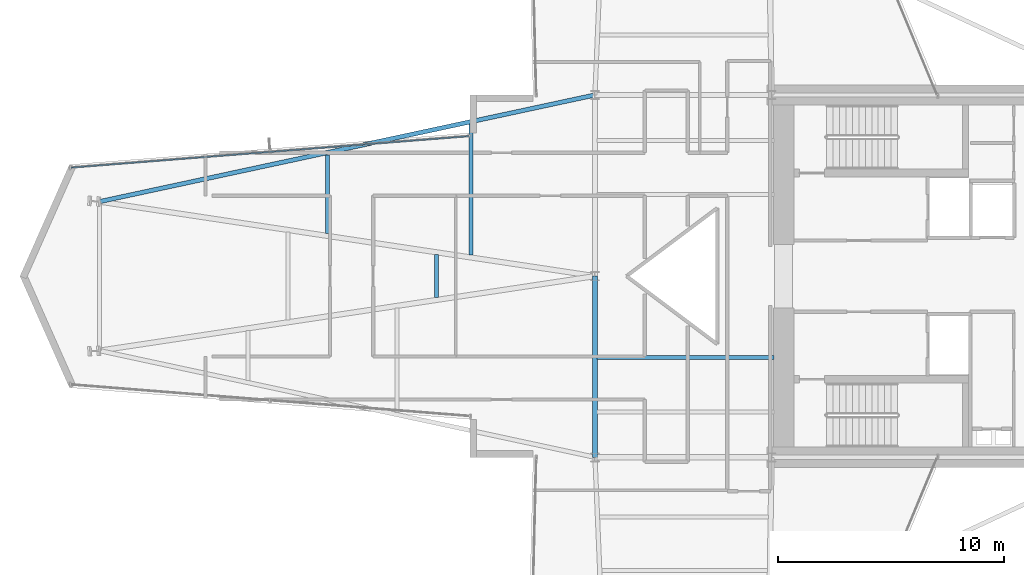
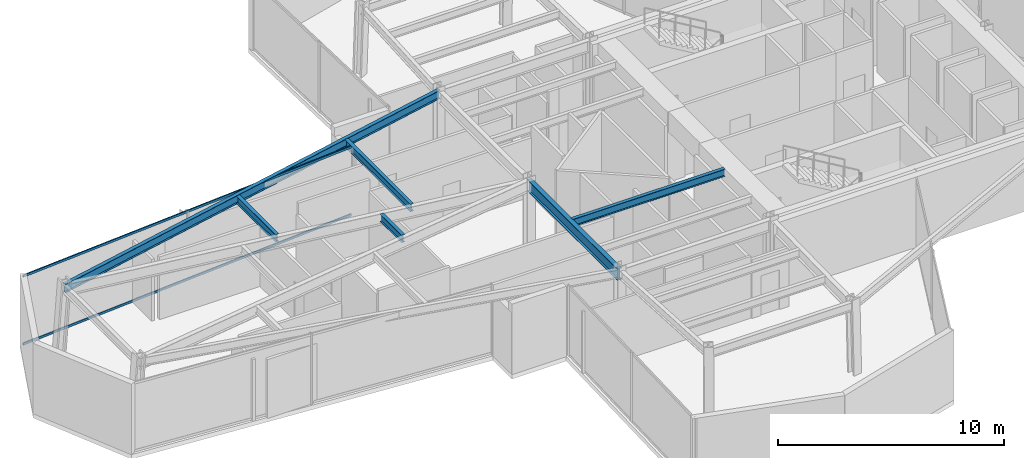
# One storey, part 8 of 25: 6 beams, 2 members, 1 element without a shape of its own.
"""IFC4 building model written with IfcOpenShell, lengths in metres."""

from ifc_helpers import new_model, si_unit, direction, frame, origin, origin_2d, place, context, subcontext, project, spatial, hollow_rectangle, i_section, extrude, material, layer, layer_set, material_profile, profile_set, type_object, element, aggregate, save


model = new_model("IFC4")

# Units and contexts
model_context = context("Model", 3, precision=1e-05, world=origin(), true_north=direction((0.0, 1.0)))
body_context = subcontext(model_context, "Body", "Model", "MODEL_VIEW")
ifc_project = project(units=[si_unit("LENGTHUNIT", "METRE"), si_unit("AREAUNIT", "SQUARE_METRE"), si_unit("VOLUMEUNIT", "CUBIC_METRE"), si_unit("PLANEANGLEUNIT", "RADIAN"), si_unit("MASSUNIT", "GRAM", prefix="KILO")], contexts=[model_context])

# Site, building, storey
site_placement = place(None, origin())
site = spatial("IfcSite", under=ifc_project, at=site_placement, CompositionType="ELEMENT")
building_placement = place(site_placement, origin())
building = spatial("IfcBuilding", under=site, at=building_placement, Name="Veymaron Broadcast Tower", CompositionType="ELEMENT")
storey_placement = place(building_placement, frame((0.0, 0.0, 82.35009765625)))
storey = spatial("IfcBuildingStorey", under=building, at=storey_placement, Name="L18", CompositionType="ELEMENT", Elevation=82.35009765625)

# Beams
ifc_material_1 = material(Name="Structural steel ASTM A992 Gr 50", Category="steel")
ifc_material_profile_1 = material_profile(ifc_material_1, i_section(OverallWidth=0.22998046875, OverallDepth=0.616943359375, WebThickness=0.01318359375, FlangeThickness=0.022216796875, at=origin_2d()), Name="W610X140")
ifc_profile_set_1 = profile_set([ifc_material_profile_1], Name="Structural steel ASTM A992 Gr 50")
beam_type_1 = type_object("IfcBeamType", Name="BM-FG1", PredefinedType="BEAM", material=ifc_profile_set_1)
beam_1_placement = place(storey_placement, frame((31.199951171875, 16.0, 3.50146484375), z_axis=(0.0, 1.0, 0.0), x_axis=(-1.0, 0.0, 0.0)))
element("IfcBeam", 1, at=beam_1_placement, inside=storey, type_object=beam_type_1, Name="L18 primary structural floor girder", PredefinedType="BEAM", context=body_context, shape_type="SweptSolid", body=[
    extrude(i_section(OverallWidth=0.22998046875, OverallDepth=0.616943359375, WebThickness=0.01318359375, FlangeThickness=0.022216796875, at=origin_2d()), origin(), (0.0, 0.0, 1.0), 8.0),
])
ifc_material_profile_2 = material_profile(ifc_material_1, i_section(OverallWidth=0.177978515625, OverallDepth=0.406982421875, WebThickness=0.0078125, FlangeThickness=0.0126953125, at=origin_2d()), Name="W410X60")
ifc_profile_set_2 = profile_set([ifc_material_profile_2], Name="Structural steel ASTM A992 Gr 50")
beam_type_2 = type_object("IfcBeamType", Name="BM-JS1", PredefinedType="JOIST", material=ifc_profile_set_2)
beam_2_placement = place(storey_placement, frame((19.3837890625, 25.876708984375, 3.6064453125), z_axis=(0.0, 1.0, 0.0), x_axis=(-1.0, 0.0, 0.0)))
element("IfcBeam", 2, at=beam_2_placement, inside=storey, type_object=beam_type_2, Name="L18 Arm-A secondary joist 1N", PredefinedType="JOIST", context=body_context, shape_type="SweptSolid", body=[
    extrude(i_section(OverallWidth=0.177978515625, OverallDepth=0.406982421875, WebThickness=0.0078125, FlangeThickness=0.0126953125, at=origin_2d()), origin(), (0.0, 0.0, 1.0), 3.47998046875),
])
beam_3_placement = place(storey_placement, frame((24.19775390625, 23.047119140625, 3.6064453125), z_axis=(0.0, 1.0, 0.0), x_axis=(-1.0, 0.0, 0.0)))
element("IfcBeam", 3, at=beam_3_placement, inside=storey, type_object=beam_type_2, Name="L18 Arm-A secondary joist 2M", PredefinedType="JOIST", context=body_context, shape_type="SweptSolid", body=[
    extrude(i_section(OverallWidth=0.177978515625, OverallDepth=0.406982421875, WebThickness=0.0078125, FlangeThickness=0.0126953125, at=origin_2d()), origin(), (0.0, 0.0, 1.0), 1.90576171875),
])
beam_4_placement = place(storey_placement, frame((25.7294921875, 24.922607421875, 3.6064453125), z_axis=(0.0, 1.0, 0.0), x_axis=(-1.0, 0.0, 0.0)))
element("IfcBeam", 4, at=beam_4_placement, inside=storey, type_object=beam_type_2, Name="L18 Arm-A secondary joist 2N", PredefinedType="JOIST", context=body_context, shape_type="SweptSolid", body=[
    extrude(i_section(OverallWidth=0.177978515625, OverallDepth=0.406982421875, WebThickness=0.0078125, FlangeThickness=0.0126953125, at=origin_2d()), origin(), (0.0, 0.0, 1.0), 5.7998046875),
])
beam_5_placement = place(storey_placement, frame((31.300048828125, 20.39990234375, 3.6064453125), z_axis=(1.0, 0.0, 0.0), x_axis=(0.0, 1.0, 0.0)))
element("IfcBeam", 5, at=beam_5_placement, inside=storey, type_object=beam_type_2, Name="L18 Hub secondary joist 2", PredefinedType="JOIST", context=body_context, shape_type="SweptSolid", body=[
    extrude(i_section(OverallWidth=0.177978515625, OverallDepth=0.406982421875, WebThickness=0.0078125, FlangeThickness=0.0126953125, at=origin_2d()), origin(), (0.0, 0.0, 1.0), 7.800048828125),
])
ifc_material_profile_3 = material_profile(ifc_material_1, i_section(OverallWidth=0.19091796875, OverallDepth=0.4599609375, WebThickness=0.010009765625, FlangeThickness=0.01611328125, at=origin_2d()), Name="W460X82")
ifc_profile_set_3 = profile_set([ifc_material_profile_3], Name="Structural steel ASTM A992 Gr 50")
beam_type_3 = type_object("IfcBeamType", Name="BM-SP1", PredefinedType="SPANDREL", material=ifc_profile_set_3)
beam_6_placement = place(storey_placement, frame((9.318115234375, 27.2900390625, 3.579833984375), z_axis=(0.977609819435, 0.210425856167, 0.0), x_axis=(-0.210425856167, 0.977609819435, 0.0)))
element("IfcBeam", 6, at=beam_6_placement, inside=storey, type_object=beam_type_3, Name="L18 primary structural floor girder", PredefinedType="SPANDREL", context=body_context, shape_type="SweptSolid", body=[
    extrude(i_section(OverallWidth=0.19091796875, OverallDepth=0.4599609375, WebThickness=0.010009765625, FlangeThickness=0.01611328125, at=origin_2d()), origin(), (0.0, 0.0, 1.0), 22.383056640625),
])

# Curtain wall, members
ifc_material_2 = material(Name="Anodised aluminium AA 6063-T6 and laminated low-E dark glass", Category="aluminium")
ifc_layer = layer(ifc_material_2, 0.179931640625)
ifc_layer_set = layer_set([ifc_layer], Name="Anodised aluminium AA 6063-T6 and laminated low-E dark glass")
curtain_wall_type = type_object("IfcCurtainWallType", Name="CW-SYS-02", PredefinedType="NOTDEFINED", material=ifc_layer_set)
curtain_wall_placement = place(storey_placement, origin())
curtain_wall = element("IfcCurtainWall", 7, at=curtain_wall_placement, inside=storey, type_object=curtain_wall_type, Name="L18 dark-glass curtain wall CW-L18-E11-1", PredefinedType="NOTDEFINED")
ifc_material_3 = material(Name="Anodised aluminium AA 6063-T6", Category="aluminium")
ifc_material_profile_4 = material_profile(ifc_material_3, hollow_rectangle(XDim=0.06005859375, YDim=0.1201171875, WallThickness=0.00390625, at=origin_2d()), Name="AL120X60X4")
ifc_profile_set_4 = profile_set([ifc_material_profile_4], Name="Anodised aluminium AA 6063-T6")
member_type = type_object("IfcMemberType", Name="CW-TRN-02", PredefinedType="USERDEFINED", material=ifc_profile_set_4)
member_1_placement = place(storey_placement, frame((25.649169921875, 30.18115234375, 0.06982421875), z_axis=(-0.996892203144, -0.078777758981, 0.0), x_axis=(0.078777758981, -0.996892203144, 0.0)))
member_1 = element("IfcMember", 8, at=member_1_placement, type_object=member_type, Name="CW-L18-E11-1 transom B", ObjectType="TRANSOM", PredefinedType="USERDEFINED", context=body_context, shape_type="SweptSolid", body=[
    extrude(hollow_rectangle(XDim=0.06005859375, YDim=0.1201171875, WallThickness=0.00390625, at=origin_2d()), origin(), (0.0, 0.0, 1.0), 17.643310546875),
])
member_2_placement = place(storey_placement, frame((25.649169921875, 30.18115234375, 3.739990234375), z_axis=(-0.996892203144, -0.078777758981, 0.0), x_axis=(0.078777758981, -0.996892203144, 0.0)))
member_2 = element("IfcMember", 9, at=member_2_placement, type_object=member_type, Name="CW-L18-E11-1 transom T", ObjectType="TRANSOM", PredefinedType="USERDEFINED", context=body_context, shape_type="SweptSolid", body=[
    extrude(hollow_rectangle(XDim=0.06005859375, YDim=0.1201171875, WallThickness=0.00390625, at=origin_2d()), origin(), (0.0, 0.0, 1.0), 17.643310546875),
])
aggregate(curtain_wall, [member_1, member_2])

save(model, "model.ifc")
